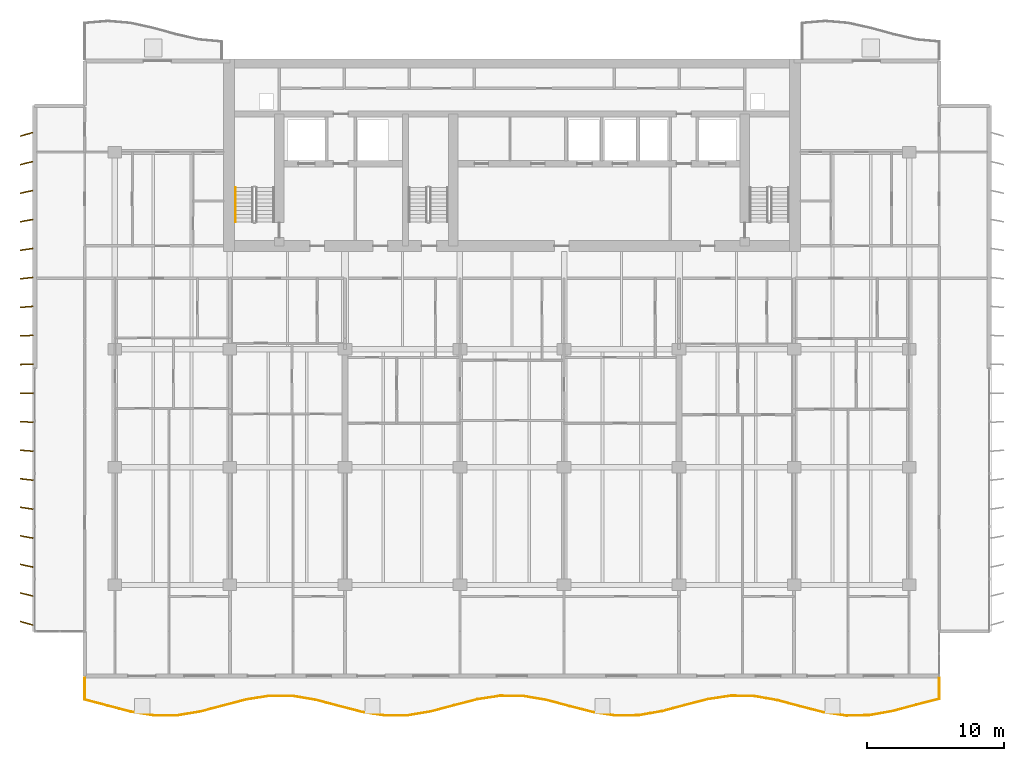
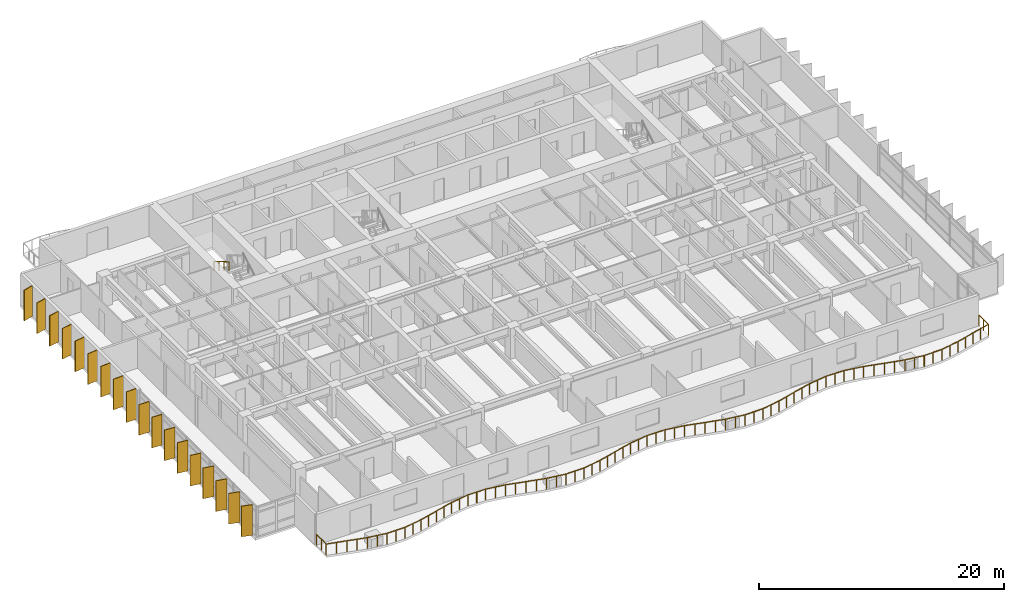
# One storey, part 14 of 17: 18 shading devices, 2 railings.
"""IFC4 building model written with IfcOpenShell, lengths in metres."""

from ifc_helpers import new_model, si_unit, direction, frame, origin, origin_2d, place, context, subcontext, project, spatial, rectangle, circle, extrude, material, material_profile, profile_set, type_object, element, save


model = new_model("IFC4")

# Units and contexts
model_context = context("Model", 3, precision=1e-05, world=origin(), true_north=direction((0.0, 1.0)))
body_context = subcontext(model_context, "Body", "Model", "MODEL_VIEW")
ifc_project = project(units=[si_unit("LENGTHUNIT", "METRE"), si_unit("AREAUNIT", "SQUARE_METRE"), si_unit("VOLUMEUNIT", "CUBIC_METRE"), si_unit("PLANEANGLEUNIT", "RADIAN"), si_unit("MASSUNIT", "GRAM", prefix="KILO")], contexts=[model_context])

# Site, building, storey
site_placement = place(None, origin())
site = spatial("IfcSite", under=ifc_project, at=site_placement, CompositionType="ELEMENT")
building_placement = place(site_placement, origin())
building = spatial("IfcBuilding", under=site, at=building_placement, Name="Caelmar Bay Residences", CompositionType="ELEMENT")
storey_placement = place(building_placement, frame((0.0, 0.0, 105.89990234375)))
storey = spatial("IfcBuildingStorey", under=building, at=storey_placement, Name="L28", CompositionType="ELEMENT", Elevation=105.89990234375)

# Railings
ifc_material_1 = material(Name="Anodised bronze handrail with laminated hurricane glass infill", Category="glass")
railing_type_1 = type_object("IfcRailingType", Name="RL-BAL-1100", PredefinedType="BALUSTRADE", material=ifc_material_1)
railing_1_placement = place(storey_placement, frame((7.699951171875, 5.39990234375, 0.0)))
element("IfcRailing", 1, at=railing_1_placement, inside=storey, type_object=railing_type_1, Name="L28 south Balcony Balustrade", PredefinedType="BALUSTRADE", context=body_context, shape_type="SweptSolid", body=[
    extrude(circle(Radius=0.02392578125, at=origin_2d()), frame((0.0, 0.0, 1.076171875), z_axis=(0.0, -1.0, 0.0), x_axis=(1.0, 0.0, 0.0)), (0.0, 0.0, 1.0), 1.5791015625),
    extrude(circle(Radius=0.02392578125, at=origin_2d()), frame((0.0, -1.5791015625, 1.076171875), z_axis=(0.967242999152, -0.253852281045, 0.0), x_axis=(0.253852281045, 0.967242999152, 0.0)), (0.0, 0.0, 1.0), 1.74365234375),
    extrude(circle(Radius=0.02392578125, at=origin_2d()), frame((1.6865234375, -2.021728515625, 1.076171875), z_axis=(0.967346068881, -0.25345923345, 0.0), x_axis=(0.25345923345, 0.967346068881, 0.0)), (0.0, 0.0, 1.0), 1.743408203125),
    extrude(circle(Radius=0.02392578125, at=origin_2d()), frame((3.373046875, -2.463623046875, 1.076171875), z_axis=(0.987312771939, -0.15878756364, 0.0), x_axis=(0.15878756364, 0.987312771939, 0.0)), (0.0, 0.0, 1.0), 1.708251953125),
    extrude(circle(Radius=0.02392578125, at=origin_2d()), frame((5.0595703125, -2.73486328125, 1.076171875), z_axis=(0.999997316947, 0.002316484302, 0.0), x_axis=(-0.002316484302, 0.999997316947, 0.0)), (0.0, 0.0, 1.0), 1.686279296875),
    extrude(circle(Radius=0.02392578125, at=origin_2d()), frame((6.745849609375, -2.73095703125, 1.076171875), z_axis=(0.986723913917, 0.162406643041, 0.0), x_axis=(-0.162406643041, 0.986723913917, 0.0)), (0.0, 0.0, 1.0), 1.709228515625),
    extrude(circle(Radius=0.02392578125, at=origin_2d()), frame((8.432373046875, -2.453369140625, 1.076171875), z_axis=(0.967001967981, 0.254768902971, 0.0), x_axis=(-0.254768902971, 0.967001967981, 0.0)), (0.0, 0.0, 1.0), 1.744140625),
    extrude(circle(Radius=0.02392578125, at=origin_2d()), frame((10.118896484375, -2.009033203125, 1.076171875), z_axis=(0.967586028705, 0.252541634301, 0.0), x_axis=(-0.252541634301, 0.967586028705, 0.0)), (0.0, 0.0, 1.0), 1.742919921875),
    extrude(circle(Radius=0.02392578125, at=origin_2d()), frame((11.805419921875, -1.56884765625, 1.076171875), z_axis=(0.98773512565, 0.156138789405, 0.0), x_axis=(-0.156138789405, 0.98773512565, 0.0)), (0.0, 0.0, 1.0), 1.70751953125),
    extrude(circle(Radius=0.02392578125, at=origin_2d()), frame((13.491943359375, -1.30224609375, 1.076171875), z_axis=(0.999984063822, -0.005645538287, 0.0), x_axis=(0.005645538287, 0.999984063822, 0.0)), (0.0, 0.0, 1.0), 1.6865234375),
    extrude(circle(Radius=0.02392578125, at=origin_2d()), frame((15.178466796875, -1.311767578125, 1.076171875), z_axis=(0.986285665301, -0.165047224825, 0.0), x_axis=(0.165047224825, 0.986285665301, 0.0)), (0.0, 0.0, 1.0), 1.7099609375),
    extrude(circle(Radius=0.02392578125, at=origin_2d()), frame((16.864990234375, -1.593994140625, 1.076171875), z_axis=(0.966794774667, -0.255554032794, 0.0), x_axis=(0.255554032794, 0.966794774667, 0.0)), (0.0, 0.0, 1.0), 1.744384765625),
    extrude(circle(Radius=0.02392578125, at=origin_2d()), frame((18.551513671875, -2.039794921875, 1.076171875), z_axis=(0.967816364062, -0.251657476452, 0.0), x_axis=(0.251657476452, 0.967816364062, 0.0)), (0.0, 0.0, 1.0), 1.742431640625),
    extrude(circle(Radius=0.02392578125, at=origin_2d()), frame((20.23779296875, -2.478271484375, 1.076171875), z_axis=(0.988172408476, -0.153346963215, 0.0), x_axis=(0.153346963215, 0.988172408476, 0.0)), (0.0, 0.0, 1.0), 1.706787109375),
    extrude(circle(Radius=0.02392578125, at=origin_2d()), frame((21.92431640625, -2.739990234375, 1.076171875), z_axis=(0.999959726211, 0.00897473987, 0.0), x_axis=(-0.00897473987, 0.999959726211, 0.0)), (0.0, 0.0, 1.0), 1.6865234375),
    extrude(circle(Radius=0.02392578125, at=origin_2d()), frame((23.61083984375, -2.724853515625, 1.076171875), z_axis=(0.98588789795, 0.167406847756, 0.0), x_axis=(-0.167406847756, 0.98588789795, 0.0)), (0.0, 0.0, 1.0), 1.710693359375),
    extrude(circle(Radius=0.02392578125, at=origin_2d()), frame((25.29736328125, -2.4384765625, 1.076171875), z_axis=(0.966517664442, 0.256600086362, 0.0), x_axis=(-0.256600086362, 0.966517664442, 0.0)), (0.0, 0.0, 1.0), 1.744873046875),
    extrude(circle(Radius=0.02392578125, at=origin_2d()), frame((26.98388671875, -1.99072265625, 1.076171875), z_axis=(0.968131680755, 0.250441707225, 0.0), x_axis=(-0.250441707225, 0.968131680755, 0.0)), (0.0, 0.0, 1.0), 1.741943359375),
    extrude(circle(Radius=0.02392578125, at=origin_2d()), frame((28.67041015625, -1.554443359375, 1.076171875), z_axis=(0.988559536342, 0.15083117419, 0.0), x_axis=(-0.15083117419, 0.988559536342, 0.0)), (0.0, 0.0, 1.0), 1.7060546875),
    extrude(circle(Radius=0.02392578125, at=origin_2d()), frame((30.35693359375, -1.297119140625, 1.076171875), z_axis=(0.999922493611, -0.012450171486, 0.0), x_axis=(0.012450171486, 0.999922493611, 0.0)), (0.0, 0.0, 1.0), 1.6865234375),
    extrude(circle(Radius=0.02392578125, at=origin_2d()), frame((32.043212890625, -1.318115234375, 1.076171875), z_axis=(0.985460939376, -0.169902139374, 0.0), x_axis=(0.169902139374, 0.985460939376, 0.0)), (0.0, 0.0, 1.0), 1.71142578125),
    extrude(circle(Radius=0.02392578125, at=origin_2d()), frame((33.729736328125, -1.60888671875, 1.076171875), z_axis=(0.966309193943, -0.257384035445, 0.0), x_axis=(0.257384035445, 0.966309193943, 0.0)), (0.0, 0.0, 1.0), 1.745361328125),
    extrude(circle(Radius=0.02392578125, at=origin_2d()), frame((35.416259765625, -2.05810546875, 1.076171875), z_axis=(0.968403026193, -0.249390414533, 0.0), x_axis=(0.249390414533, 0.968403026193, 0.0)), (0.0, 0.0, 1.0), 1.741455078125),
    extrude(circle(Radius=0.02392578125, at=origin_2d()), frame((37.102783203125, -2.492431640625, 1.076171875), z_axis=(0.988961540669, -0.148172436971, 0.0), x_axis=(0.148172436971, 0.988961540669, 0.0)), (0.0, 0.0, 1.0), 1.705322265625),
    extrude(circle(Radius=0.02392578125, at=origin_2d()), frame((38.789306640625, -2.7451171875, 1.076171875), z_axis=(0.999875537862, 0.015776843316, 0.0), x_axis=(-0.015776843316, 0.999875537862, 0.0)), (0.0, 0.0, 1.0), 1.686767578125),
    extrude(circle(Radius=0.02392578125, at=origin_2d()), frame((40.475830078125, -2.718505859375, 1.076171875), z_axis=(0.985003822672, 0.17253251671, 0.0), x_axis=(-0.17253251671, 0.985003822672, 0.0)), (0.0, 0.0, 1.0), 1.712158203125),
    extrude(circle(Radius=0.02392578125, at=origin_2d()), frame((42.162353515625, -2.423095703125, 1.076171875), z_axis=(0.966125737824, 0.25807180922, 0.0), x_axis=(-0.25807180922, 0.966125737824, 0.0)), (0.0, 0.0, 1.0), 1.745361328125),
    extrude(circle(Radius=0.02392578125, at=origin_2d()), frame((43.8486328125, -1.97265625, 1.076171875), z_axis=(0.968673380901, 0.248338239371, 0.0), x_axis=(-0.248338239371, 0.968673380901, 0.0)), (0.0, 0.0, 1.0), 1.740966796875),
    extrude(circle(Radius=0.02392578125, at=origin_2d()), frame((45.53515625, -1.540283203125, 1.076171875), z_axis=(0.989377318398, 0.14537029215, 0.0), x_axis=(-0.14537029215, 0.989377318398, 0.0)), (0.0, 0.0, 1.0), 1.70458984375),
    extrude(circle(Radius=0.02392578125, at=origin_2d()), frame((47.2216796875, -1.29248046875, 1.076171875), z_axis=(0.999817486792, -0.019104792741, 0.0), x_axis=(0.019104792741, 0.999817486792, 0.0)), (0.0, 0.0, 1.0), 1.686767578125),
    extrude(circle(Radius=0.02392578125, at=origin_2d()), frame((48.908203125, -1.32470703125, 1.076171875), z_axis=(0.984589241771, -0.174882889353, 0.0), x_axis=(0.174882889353, 0.984589241771, 0.0)), (0.0, 0.0, 1.0), 1.712890625),
    extrude(circle(Radius=0.02392578125, at=origin_2d()), frame((50.5947265625, -1.624267578125, 1.076171875), z_axis=(0.965890617904, -0.258950408853, 0.0), x_axis=(0.258950408853, 0.965890617904, 0.0)), (0.0, 0.0, 1.0), 1.74609375),
    extrude(circle(Radius=0.02392578125, at=origin_2d()), frame((52.28125, -2.076416015625, 1.076171875), z_axis=(0.968967772259, -0.247187087697, 0.0), x_axis=(0.247187087697, 0.968967772259, 0.0)), (0.0, 0.0, 1.0), 1.740234375),
    extrude(circle(Radius=0.02392578125, at=origin_2d()), frame((53.967529296875, -2.506591796875, 1.076171875), z_axis=(0.989785492966, -0.142564644687, 0.0), x_axis=(0.142564644687, 0.989785492966, 0.0)), (0.0, 0.0, 1.0), 1.703857421875),
    extrude(circle(Radius=0.02392578125, at=origin_2d()), frame((55.654052734375, -2.74951171875, 1.076171875), z_axis=(0.999748368622, 0.022432107287, 0.0), x_axis=(-0.022432107287, 0.999748368622, 0.0)), (0.0, 0.0, 1.0), 1.68701171875),
    extrude(circle(Radius=0.02392578125, at=origin_2d()), frame((57.340576171875, -2.711669921875, 1.076171875), z_axis=(0.984144551862, 0.177368263907, 0.0), x_axis=(-0.177368263907, 0.984144551862, 0.0)), (0.0, 0.0, 1.0), 1.713623046875),
    extrude(circle(Radius=0.02392578125, at=origin_2d()), frame((59.027099609375, -2.40771484375, 1.076171875), z_axis=(0.965750609382, 0.259472080344, 0.0), x_axis=(-0.259472080344, 0.965750609382, 0.0)), (0.0, 0.0, 1.0), 1.746337890625),
    extrude(circle(Radius=0.02392578125, at=origin_2d()), frame((60.713623046875, -1.95458984375, 1.076171875), z_axis=(0.969244582602, 0.246099449607, 0.0), x_axis=(-0.246099449607, 0.969244582602, 0.0)), (0.0, 0.0, 1.0), 1.739990234375),
    extrude(circle(Radius=0.02392578125, at=origin_2d()), frame((62.400146484375, -1.5263671875, 1.076171875), z_axis=(0.0, 1.0, 0.0), x_axis=(-1.0, 0.0, 0.0)), (0.0, 0.0, 1.0), 1.5263671875),
    extrude(circle(Radius=0.02099609375, at=origin_2d()), origin(), (0.0, 0.0, 1.0), 1.052001953125),
    extrude(circle(Radius=0.02099609375, at=origin_2d()), frame((0.0, -0.78955078125, 0.0)), (0.0, 0.0, 1.0), 1.052001953125),
    extrude(circle(Radius=0.02099609375, at=origin_2d()), frame((0.0, -1.5791015625, 0.0)), (0.0, 0.0, 1.0), 1.052001953125),
    extrude(circle(Radius=0.02099609375, at=origin_2d()), frame((0.84326171875, -1.80029296875, 0.0)), (0.0, 0.0, 1.0), 1.052001953125),
    extrude(circle(Radius=0.02099609375, at=origin_2d()), frame((1.6865234375, -2.021728515625, 0.0)), (0.0, 0.0, 1.0), 1.052001953125),
    extrude(circle(Radius=0.02099609375, at=origin_2d()), frame((2.52978515625, -2.24267578125, 0.0)), (0.0, 0.0, 1.0), 1.052001953125),
    extrude(circle(Radius=0.02099609375, at=origin_2d()), frame((3.373046875, -2.463623046875, 0.0)), (0.0, 0.0, 1.0), 1.052001953125),
    extrude(circle(Radius=0.02099609375, at=origin_2d()), frame((4.21630859375, -2.59912109375, 0.0)), (0.0, 0.0, 1.0), 1.052001953125),
    extrude(circle(Radius=0.02099609375, at=origin_2d()), frame((5.0595703125, -2.73486328125, 0.0)), (0.0, 0.0, 1.0), 1.052001953125),
    extrude(circle(Radius=0.02099609375, at=origin_2d()), frame((5.90283203125, -2.73291015625, 0.0)), (0.0, 0.0, 1.0), 1.052001953125),
    extrude(circle(Radius=0.02099609375, at=origin_2d()), frame((6.745849609375, -2.73095703125, 0.0)), (0.0, 0.0, 1.0), 1.052001953125),
    extrude(circle(Radius=0.02099609375, at=origin_2d()), frame((7.589111328125, -2.59228515625, 0.0)), (0.0, 0.0, 1.0), 1.052001953125),
    extrude(circle(Radius=0.02099609375, at=origin_2d()), frame((8.432373046875, -2.453369140625, 0.0)), (0.0, 0.0, 1.0), 1.052001953125),
    extrude(circle(Radius=0.02099609375, at=origin_2d()), frame((9.275634765625, -2.231201171875, 0.0)), (0.0, 0.0, 1.0), 1.052001953125),
    extrude(circle(Radius=0.02099609375, at=origin_2d()), frame((10.118896484375, -2.009033203125, 0.0)), (0.0, 0.0, 1.0), 1.052001953125),
    extrude(circle(Radius=0.02099609375, at=origin_2d()), frame((10.962158203125, -1.7890625, 0.0)), (0.0, 0.0, 1.0), 1.052001953125),
    extrude(circle(Radius=0.02099609375, at=origin_2d()), frame((11.805419921875, -1.56884765625, 0.0)), (0.0, 0.0, 1.0), 1.052001953125),
    extrude(circle(Radius=0.02099609375, at=origin_2d()), frame((12.648681640625, -1.435546875, 0.0)), (0.0, 0.0, 1.0), 1.052001953125),
    extrude(circle(Radius=0.02099609375, at=origin_2d()), frame((13.491943359375, -1.30224609375, 0.0)), (0.0, 0.0, 1.0), 1.052001953125),
    extrude(circle(Radius=0.02099609375, at=origin_2d()), frame((14.335205078125, -1.30712890625, 0.0)), (0.0, 0.0, 1.0), 1.052001953125),
    extrude(circle(Radius=0.02099609375, at=origin_2d()), frame((15.178466796875, -1.311767578125, 0.0)), (0.0, 0.0, 1.0), 1.052001953125),
    extrude(circle(Radius=0.02099609375, at=origin_2d()), frame((16.021728515625, -1.452880859375, 0.0)), (0.0, 0.0, 1.0), 1.052001953125),
    extrude(circle(Radius=0.02099609375, at=origin_2d()), frame((16.864990234375, -1.593994140625, 0.0)), (0.0, 0.0, 1.0), 1.052001953125),
    extrude(circle(Radius=0.02099609375, at=origin_2d()), frame((17.708251953125, -1.81689453125, 0.0)), (0.0, 0.0, 1.0), 1.052001953125),
    extrude(circle(Radius=0.02099609375, at=origin_2d()), frame((18.551513671875, -2.039794921875, 0.0)), (0.0, 0.0, 1.0), 1.052001953125),
    extrude(circle(Radius=0.02099609375, at=origin_2d()), frame((19.39453125, -2.259033203125, 0.0)), (0.0, 0.0, 1.0), 1.052001953125),
    extrude(circle(Radius=0.02099609375, at=origin_2d()), frame((20.23779296875, -2.478271484375, 0.0)), (0.0, 0.0, 1.0), 1.052001953125),
    extrude(circle(Radius=0.02099609375, at=origin_2d()), frame((21.0810546875, -2.609130859375, 0.0)), (0.0, 0.0, 1.0), 1.052001953125),
    extrude(circle(Radius=0.02099609375, at=origin_2d()), frame((21.92431640625, -2.739990234375, 0.0)), (0.0, 0.0, 1.0), 1.052001953125),
    extrude(circle(Radius=0.02099609375, at=origin_2d()), frame((22.767578125, -2.732421875, 0.0)), (0.0, 0.0, 1.0), 1.052001953125),
    extrude(circle(Radius=0.02099609375, at=origin_2d()), frame((23.61083984375, -2.724853515625, 0.0)), (0.0, 0.0, 1.0), 1.052001953125),
    extrude(circle(Radius=0.02099609375, at=origin_2d()), frame((24.4541015625, -2.58154296875, 0.0)), (0.0, 0.0, 1.0), 1.052001953125),
    extrude(circle(Radius=0.02099609375, at=origin_2d()), frame((25.29736328125, -2.4384765625, 0.0)), (0.0, 0.0, 1.0), 1.052001953125),
    extrude(circle(Radius=0.02099609375, at=origin_2d()), frame((26.140625, -2.214599609375, 0.0)), (0.0, 0.0, 1.0), 1.052001953125),
    extrude(circle(Radius=0.02099609375, at=origin_2d()), frame((26.98388671875, -1.99072265625, 0.0)), (0.0, 0.0, 1.0), 1.052001953125),
    extrude(circle(Radius=0.02099609375, at=origin_2d()), frame((27.8271484375, -1.7724609375, 0.0)), (0.0, 0.0, 1.0), 1.052001953125),
    extrude(circle(Radius=0.02099609375, at=origin_2d()), frame((28.67041015625, -1.554443359375, 0.0)), (0.0, 0.0, 1.0), 1.052001953125),
    extrude(circle(Radius=0.02099609375, at=origin_2d()), frame((29.513671875, -1.42578125, 0.0)), (0.0, 0.0, 1.0), 1.052001953125),
    extrude(circle(Radius=0.02099609375, at=origin_2d()), frame((30.35693359375, -1.297119140625, 0.0)), (0.0, 0.0, 1.0), 1.052001953125),
    extrude(circle(Radius=0.02099609375, at=origin_2d()), frame((31.2001953125, -1.3076171875, 0.0)), (0.0, 0.0, 1.0), 1.052001953125),
    extrude(circle(Radius=0.02099609375, at=origin_2d()), frame((32.043212890625, -1.318115234375, 0.0)), (0.0, 0.0, 1.0), 1.052001953125),
    extrude(circle(Radius=0.02099609375, at=origin_2d()), frame((32.886474609375, -1.46337890625, 0.0)), (0.0, 0.0, 1.0), 1.052001953125),
    extrude(circle(Radius=0.02099609375, at=origin_2d()), frame((33.729736328125, -1.60888671875, 0.0)), (0.0, 0.0, 1.0), 1.052001953125),
    extrude(circle(Radius=0.02099609375, at=origin_2d()), frame((34.572998046875, -1.83349609375, 0.0)), (0.0, 0.0, 1.0), 1.052001953125),
    extrude(circle(Radius=0.02099609375, at=origin_2d()), frame((35.416259765625, -2.05810546875, 0.0)), (0.0, 0.0, 1.0), 1.052001953125),
    extrude(circle(Radius=0.02099609375, at=origin_2d()), frame((36.259521484375, -2.275390625, 0.0)), (0.0, 0.0, 1.0), 1.052001953125),
    extrude(circle(Radius=0.02099609375, at=origin_2d()), frame((37.102783203125, -2.492431640625, 0.0)), (0.0, 0.0, 1.0), 1.052001953125),
    extrude(circle(Radius=0.02099609375, at=origin_2d()), frame((37.946044921875, -2.61865234375, 0.0)), (0.0, 0.0, 1.0), 1.052001953125),
    extrude(circle(Radius=0.02099609375, at=origin_2d()), frame((38.789306640625, -2.7451171875, 0.0)), (0.0, 0.0, 1.0), 1.052001953125),
    extrude(circle(Radius=0.02099609375, at=origin_2d()), frame((39.632568359375, -2.73193359375, 0.0)), (0.0, 0.0, 1.0), 1.052001953125),
    extrude(circle(Radius=0.02099609375, at=origin_2d()), frame((40.475830078125, -2.718505859375, 0.0)), (0.0, 0.0, 1.0), 1.052001953125),
    extrude(circle(Radius=0.02099609375, at=origin_2d()), frame((41.319091796875, -2.57080078125, 0.0)), (0.0, 0.0, 1.0), 1.052001953125),
    extrude(circle(Radius=0.02099609375, at=origin_2d()), frame((42.162353515625, -2.423095703125, 0.0)), (0.0, 0.0, 1.0), 1.052001953125),
    extrude(circle(Radius=0.02099609375, at=origin_2d()), frame((43.00537109375, -2.19775390625, 0.0)), (0.0, 0.0, 1.0), 1.052001953125),
    extrude(circle(Radius=0.02099609375, at=origin_2d()), frame((43.8486328125, -1.97265625, 0.0)), (0.0, 0.0, 1.0), 1.052001953125),
    extrude(circle(Radius=0.02099609375, at=origin_2d()), frame((44.69189453125, -1.75634765625, 0.0)), (0.0, 0.0, 1.0), 1.052001953125),
    extrude(circle(Radius=0.02099609375, at=origin_2d()), frame((45.53515625, -1.540283203125, 0.0)), (0.0, 0.0, 1.0), 1.052001953125),
    extrude(circle(Radius=0.02099609375, at=origin_2d()), frame((46.37841796875, -1.41650390625, 0.0)), (0.0, 0.0, 1.0), 1.052001953125),
    extrude(circle(Radius=0.02099609375, at=origin_2d()), frame((47.2216796875, -1.29248046875, 0.0)), (0.0, 0.0, 1.0), 1.052001953125),
    extrude(circle(Radius=0.02099609375, at=origin_2d()), frame((48.06494140625, -1.30859375, 0.0)), (0.0, 0.0, 1.0), 1.052001953125),
    extrude(circle(Radius=0.02099609375, at=origin_2d()), frame((48.908203125, -1.32470703125, 0.0)), (0.0, 0.0, 1.0), 1.052001953125),
    extrude(circle(Radius=0.02099609375, at=origin_2d()), frame((49.75146484375, -1.474609375, 0.0)), (0.0, 0.0, 1.0), 1.052001953125),
    extrude(circle(Radius=0.02099609375, at=origin_2d()), frame((50.5947265625, -1.624267578125, 0.0)), (0.0, 0.0, 1.0), 1.052001953125),
    extrude(circle(Radius=0.02099609375, at=origin_2d()), frame((51.43798828125, -1.850341796875, 0.0)), (0.0, 0.0, 1.0), 1.052001953125),
    extrude(circle(Radius=0.02099609375, at=origin_2d()), frame((52.28125, -2.076416015625, 0.0)), (0.0, 0.0, 1.0), 1.052001953125),
    extrude(circle(Radius=0.02099609375, at=origin_2d()), frame((53.12451171875, -2.29150390625, 0.0)), (0.0, 0.0, 1.0), 1.052001953125),
    extrude(circle(Radius=0.02099609375, at=origin_2d()), frame((53.967529296875, -2.506591796875, 0.0)), (0.0, 0.0, 1.0), 1.052001953125),
    extrude(circle(Radius=0.02099609375, at=origin_2d()), frame((54.810791015625, -2.6279296875, 0.0)), (0.0, 0.0, 1.0), 1.052001953125),
    extrude(circle(Radius=0.02099609375, at=origin_2d()), frame((55.654052734375, -2.74951171875, 0.0)), (0.0, 0.0, 1.0), 1.052001953125),
    extrude(circle(Radius=0.02099609375, at=origin_2d()), frame((56.497314453125, -2.73046875, 0.0)), (0.0, 0.0, 1.0), 1.052001953125),
    extrude(circle(Radius=0.02099609375, at=origin_2d()), frame((57.340576171875, -2.711669921875, 0.0)), (0.0, 0.0, 1.0), 1.052001953125),
    extrude(circle(Radius=0.02099609375, at=origin_2d()), frame((58.183837890625, -2.5595703125, 0.0)), (0.0, 0.0, 1.0), 1.052001953125),
    extrude(circle(Radius=0.02099609375, at=origin_2d()), frame((59.027099609375, -2.40771484375, 0.0)), (0.0, 0.0, 1.0), 1.052001953125),
    extrude(circle(Radius=0.02099609375, at=origin_2d()), frame((59.870361328125, -2.18115234375, 0.0)), (0.0, 0.0, 1.0), 1.052001953125),
    extrude(circle(Radius=0.02099609375, at=origin_2d()), frame((60.713623046875, -1.95458984375, 0.0)), (0.0, 0.0, 1.0), 1.052001953125),
    extrude(circle(Radius=0.02099609375, at=origin_2d()), frame((61.556884765625, -1.740478515625, 0.0)), (0.0, 0.0, 1.0), 1.052001953125),
    extrude(circle(Radius=0.02099609375, at=origin_2d()), frame((62.400146484375, -1.5263671875, 0.0)), (0.0, 0.0, 1.0), 1.052001953125),
    extrude(circle(Radius=0.02099609375, at=origin_2d()), frame((62.400146484375, -0.76318359375, 0.0)), (0.0, 0.0, 1.0), 1.052001953125),
    extrude(circle(Radius=0.02099609375, at=origin_2d()), frame((62.400146484375, 0.0, 0.0)), (0.0, 0.0, 1.0), 1.052001953125),
])
ifc_material_2 = material(Name="Brushed bronze stainless-steel tubular handrail 900 mm", Category="steel")
railing_type_2 = type_object("IfcRailingType", Name="RL-HND-900", PredefinedType="HANDRAIL", material=ifc_material_2)
railing_2_placement = place(storey_placement, frame((18.699951171875, 41.219970703125, 1.815185546875)))
element("IfcRailing", 2, at=railing_2_placement, inside=storey, type_object=railing_type_2, Name="L28 ST1 stair handrail 2", PredefinedType="HANDRAIL", context=body_context, shape_type="SweptSolid", body=[
    extrude(circle(Radius=0.02392578125, at=origin_2d()), frame((0.0, 0.0, 0.8759765625), z_axis=(0.0, -0.861560626758, 0.507654692109), x_axis=(1.0, 0.0, 0.0)), (0.0, 0.0, 1.0), 2.925048828125),
    extrude(circle(Radius=0.02099609375, at=origin_2d()), origin(), (0.0, 0.0, 1.0), 0.851806640625),
    extrude(circle(Radius=0.02099609375, at=origin_2d()), frame((0.0, -0.840087890625, 0.494873046875)), (0.0, 0.0, 1.0), 0.851806640625),
    extrude(circle(Radius=0.02099609375, at=origin_2d()), frame((0.0, -1.679931640625, 0.989990234375)), (0.0, 0.0, 1.0), 0.851806640625),
    extrude(circle(Radius=0.02099609375, at=origin_2d()), frame((0.0, -2.52001953125, 1.48486328125)), (0.0, 0.0, 1.0), 0.851806640625),
])

# Shading devices
ifc_material_3 = material(Name="Anodised architectural bronze aluminium 6063-T6", Category="aluminium")
ifc_material_profile = material_profile(ifc_material_3, rectangle(XDim=0.074951171875, YDim=0.949951171875, at=origin_2d()), Name="BRONZE-FIN-75X950")
ifc_profile_set = profile_set([ifc_material_profile], Name="Anodised architectural bronze aluminium 6063-T6")
shading_device_type = type_object("IfcShadingDeviceType", Name="SHD-FIN-950", PredefinedType="USERDEFINED", material=ifc_profile_set)
for number, where, z_axis, x_axis, name in (
    (3, (3.449951171875, 9.39990234375, 0.0), (0.0, 0.0, 1.0), (0.275637355817, 0.961261695938, 0.0), "L28 West Bronze Solar Fin 1"),
    (4, (3.449951171875, 11.5, 0.0), (0.0, 0.0, 1.0), (0.243953546137, 0.969786918517, 0.0), "L28 West Bronze Solar Fin 2"),
    (5, (3.449951171875, 13.60009765625, 0.0), (0.0, 0.0, 1.0), (0.212007109922, 0.977268123568, 0.0), "L28 West Bronze Solar Fin 3"),
    (6, (3.449951171875, 15.699951171875, 0.0), (0.0, 0.0, 1.0), (0.179660748593, 0.98372862895, 0.0), "L28 West Bronze Solar Fin 4"),
    (7, (3.449951171875, 17.800048828125, 0.0), (0.0, 0.0, 1.0), (0.147291543397, 0.989093120613, 0.0), "L28 West Bronze Solar Fin 5"),
    (8, (3.449951171875, 19.89990234375, 0.0), (0.0, 0.0, 1.0), (0.114763772489, 0.993392810787, 0.0), "L28 West Bronze Solar Fin 6"),
    (9, (3.449951171875, 22.0, 0.0), (0.0, 0.0, 1.0), (0.08211245342, 0.996623070671, 0.0), "L28 West Bronze Solar Fin 7"),
    (10, (3.449951171875, 24.10009765625, 0.0), (0.0, 0.0, 1.0), (0.049198415926, 0.998789024705, 0.0), "L28 West Bronze Solar Fin 8"),
    (11, (3.449951171875, 26.199951171875, 0.0), (0.0, 0.0, 1.0), (0.016405359001, 0.999865423043, 0.0), "L28 West Bronze Solar Fin 9"),
    (12, (3.449951171875, 28.300048828125, 0.0), (0.0, 0.0, 1.0), (-0.016405359001, 0.999865423043, 0.0), "L28 West Bronze Solar Fin 10"),
    (13, (3.449951171875, 30.39990234375, 0.0), (0.0, 0.0, 1.0), (-0.049198415926, 0.998789024705, 0.0), "L28 West Bronze Solar Fin 11"),
    (14, (3.449951171875, 32.5, 0.0), (0.0, 0.0, 1.0), (-0.08211245342, 0.996623070671, 0.0), "L28 West Bronze Solar Fin 12"),
    (15, (3.449951171875, 34.60009765625, 0.0), (0.0, 0.0, 1.0), (-0.114763772489, 0.993392810787, 0.0), "L28 West Bronze Solar Fin 13"),
    (16, (3.449951171875, 36.699951171875, 0.0), (0.0, 0.0, 1.0), (-0.147291543397, 0.989093120613, 0.0), "L28 West Bronze Solar Fin 14"),
    (17, (3.449951171875, 38.800048828125, 0.0), (0.0, 0.0, 1.0), (-0.179660748593, 0.98372862895, 0.0), "L28 West Bronze Solar Fin 15"),
    (18, (3.449951171875, 40.89990234375, 0.0), (0.0, 0.0, 1.0), (-0.212007109922, 0.977268123568, 0.0), "L28 West Bronze Solar Fin 16"),
    (19, (3.449951171875, 43.0, 0.0), (0.0, 0.0, 1.0), (-0.243953546137, 0.969786918517, 0.0), "L28 West Bronze Solar Fin 17"),
    (20, (3.449951171875, 45.10009765625, 0.0), (0.0, 0.0, 1.0), (-0.275637355817, 0.961261695938, 0.0), "L28 West Bronze Solar Fin 18"),
):
    element("IfcShadingDevice", number, at=place(storey_placement, frame(where, z_axis=z_axis, x_axis=x_axis)), inside=storey, type_object=shading_device_type, Name=name, ObjectType="FIN", PredefinedType="USERDEFINED", context=body_context, shape_type="SweptSolid", body=[
        extrude(rectangle(XDim=0.074951171875, YDim=0.949951171875, at=origin_2d()), origin(), (0.0, 0.0, 1.0), 3.050048828125),
    ])

save(model, "model.ifc")
